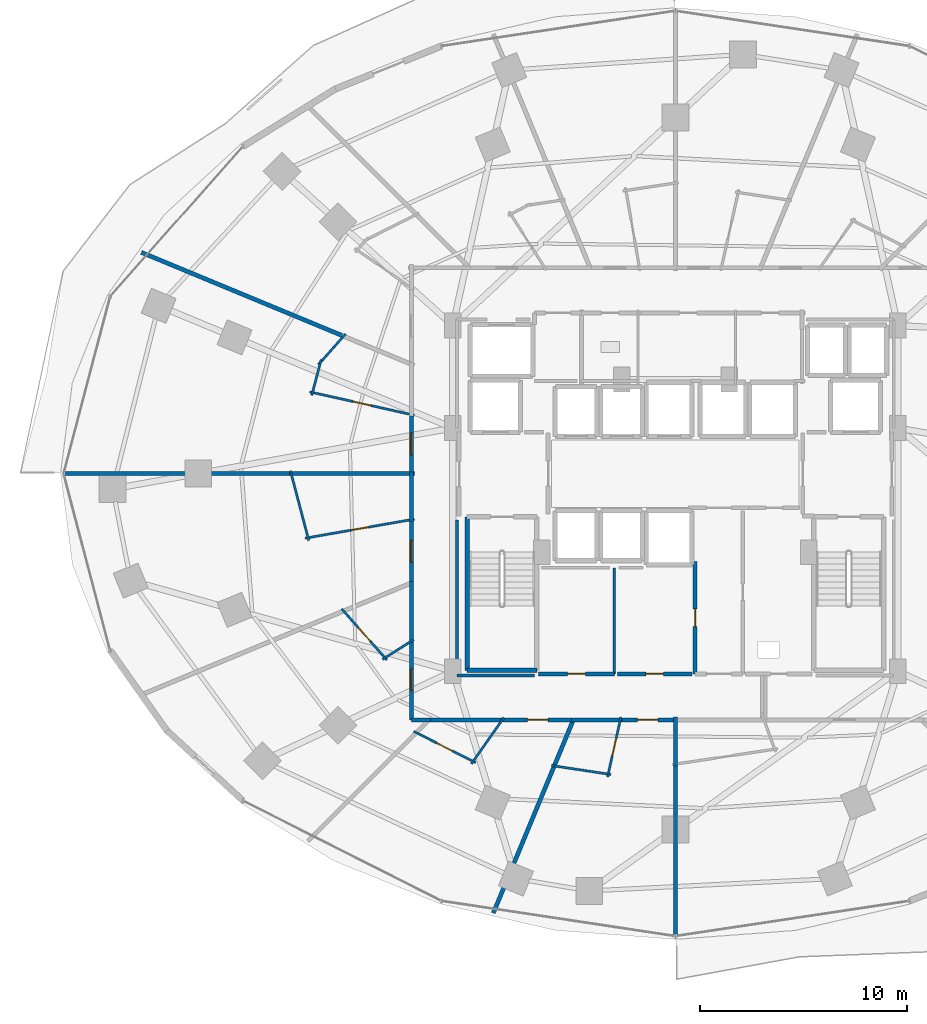
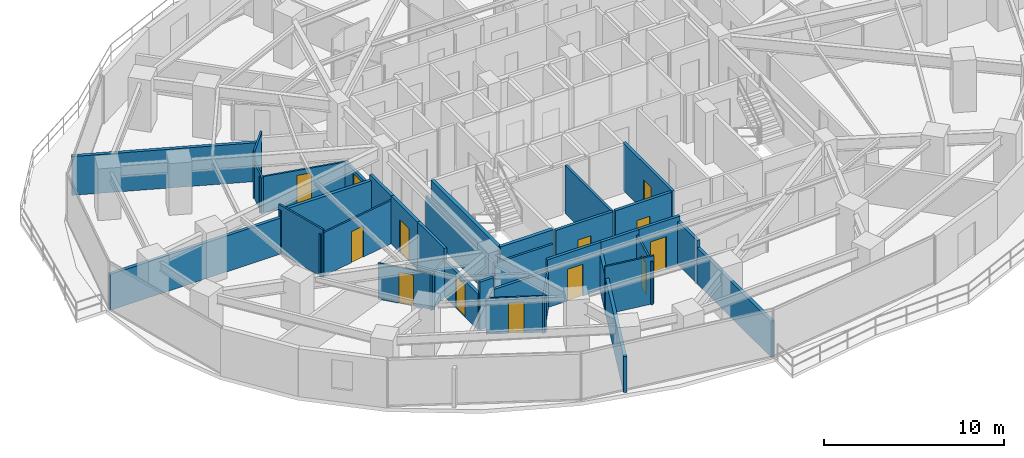
# One storey, part 26 of 34: 35 walls, 13 doors, 13 openings.
"""IFC4 building model written with IfcOpenShell, lengths in metres."""

from ifc_helpers import new_model, si_unit, direction, frame, frame_2d, origin, place, context, subcontext, project, spatial, rectangle, extrude, material, layer, layer_set, type_object, element, fill, save


model = new_model("IFC4")

# Units and contexts
model_context = context("Model", 3, precision=1e-05, world=origin(), true_north=direction((0.0, 1.0)))
body_context = subcontext(model_context, "Body", "Model", "MODEL_VIEW")
ifc_project = project(units=[si_unit("LENGTHUNIT", "METRE"), si_unit("AREAUNIT", "SQUARE_METRE"), si_unit("VOLUMEUNIT", "CUBIC_METRE"), si_unit("PLANEANGLEUNIT", "RADIAN"), si_unit("MASSUNIT", "GRAM", prefix="KILO")], contexts=[model_context])

# Site, building, storey
site_placement = place(None, origin())
site = spatial("IfcSite", under=ifc_project, at=site_placement, CompositionType="ELEMENT")
building_placement = place(site_placement, origin())
building = spatial("IfcBuilding", under=site, at=building_placement, Name="Vorneva Point Tower", CompositionType="ELEMENT")
storey_placement = place(building_placement, frame((0.0, 0.0, 27.5)))
storey = spatial("IfcBuildingStorey", under=building, at=storey_placement, Name="L06", CompositionType="ELEMENT", Elevation=27.5)

# Wall, opening, door
ifc_material_1 = material(Name="Fire-rated acoustic gypsum stud partition", Category="gypsum")
ifc_layer_1 = layer(ifc_material_1, 0.110107421875)
ifc_layer_set_1 = layer_set([ifc_layer_1], Name="Fire-rated acoustic gypsum stud partition")
wall_type_1 = type_object("IfcWallType", Name="WL-PART-110", PredefinedType="PARTITIONING", material=ifc_layer_set_1)
wall_1_placement = place(storey_placement, frame((25.38671875, 28.819580078125, 0.0), z_axis=(0.0, 0.0, 1.0), x_axis=(-0.975933395621, 0.218068813248, 0.0)))
wall_1 = element("IfcWall", 1, at=wall_1_placement, inside=storey, type_object=wall_type_1, Name="L06 Interior Partition 086", PredefinedType="PARTITIONING", context=body_context, shape_type="SweptSolid", body=[
    extrude(rectangle(XDim=5.1767578125, YDim=0.110107421875, at=frame_2d((2.58837890625, 0.0))), origin(), (0.0, 0.0, 1.0), 2.431884765625),
])
opening_1_placement = place(wall_1_placement, frame((2.163330078125, 0.0, 0.0)))
opening_1 = element("IfcOpeningElement", 2, at=opening_1_placement, cuts=wall_1, Name="Opening ID-02", PredefinedType="OPENING", context=body_context, shape_type="SweptSolid", body=[
    extrude(rectangle(XDim=0.85009765625, YDim=2.10009765625, at=frame_2d((0.425048828125, 1.050048828125))), frame((0.0, 0.06982421875, 0.0), z_axis=(0.0, -1.0, 0.0), x_axis=(1.0, 0.0, 0.0)), (0.0, 0.0, 1.0), 0.139892578125),
])
ifc_material_2 = material(Name="Engineered oak fire-rated door leaf", Category="wood")
door_type_1 = type_object("IfcDoorType", Name="DR-BATH-850", OperationType="NOTDEFINED", PredefinedType="DOOR", material=ifc_material_2)
door_1_placement = place(opening_1_placement, origin())
door_1 = element("IfcDoor", 3, at=door_1_placement, inside=storey, type_object=door_type_1, Name="L06 Door Executive Suite L06-08 / En-Suite Bathroom L06-08", OperationType="SINGLE_SWING_LEFT", OverallHeight=2.10009765625, OverallWidth=0.85009765625, PredefinedType="DOOR", context=body_context, shape_type="SweptSolid", body=[
    extrude(rectangle(XDim=0.85009765625, YDim=2.10009765625, at=frame_2d((0.425048828125, 1.050048828125))), frame((0.0, 0.02490234375, 0.0), z_axis=(0.0, -1.0, 0.0), x_axis=(1.0, 0.0, 0.0)), (0.0, 0.0, 1.0), 0.050048828125),
])
fill(opening_1, door_1)

# Walls
wall_2_placement = place(storey_placement, frame((20.435302734375, 29.78271484375, 0.0), z_axis=(0.0, 0.0, 1.0), x_axis=(0.254378671262, 0.967104695267, 0.0)))
element("IfcWall", 4, at=wall_2_placement, inside=storey, type_object=wall_type_1, Name="L06 Interior Partition 087", PredefinedType="PARTITIONING", context=body_context, shape_type="SweptSolid", body=[
    extrude(rectangle(XDim=1.7822265625, YDim=0.110107421875, at=frame_2d((0.89111328125, 0.0))), origin(), (0.0, 0.0, 1.0), 2.431884765625),
])
wall_3_placement = place(storey_placement, frame((20.76025390625, 31.26611328125, 0.0), z_axis=(0.0, 0.0, 1.0), x_axis=(0.662047420969, 0.749461948593, 0.0)))
element("IfcWall", 5, at=wall_3_placement, inside=storey, type_object=wall_type_1, Name="L06 Interior Partition 088", PredefinedType="PARTITIONING", context=body_context, shape_type="SweptSolid", body=[
    extrude(rectangle(XDim=1.9716796875, YDim=0.110107421875, at=frame_2d((0.98583984375, 0.0))), origin(), (0.0, 0.0, 1.0), 3.239990234375),
])
wall_4_placement = place(storey_placement, frame((20.29052734375, 22.767578125, 0.0), z_axis=(0.0, 0.0, 1.0), x_axis=(-0.254476045764, 0.967079077497, 0.0)))
element("IfcWall", 6, at=wall_4_placement, inside=storey, type_object=wall_type_1, Name="L06 Interior Partition 091", PredefinedType="PARTITIONING", context=body_context, shape_type="SweptSolid", body=[
    extrude(rectangle(XDim=3.482666015625, YDim=0.110107421875, at=frame_2d((1.7412109375, 0.0))), origin(), (0.0, 0.0, 1.0), 3.239990234375),
])

# Wall, opening, door
wall_5_placement = place(storey_placement, frame((25.387939453125, 23.799072265625, 0.0), z_axis=(0.0, 0.0, 1.0), x_axis=(-0.985100697644, -0.171978532096, 0.0)))
wall_5 = element("IfcWall", 7, at=wall_5_placement, inside=storey, type_object=wall_type_1, Name="L06 Interior Partition 092", PredefinedType="PARTITIONING", context=body_context, shape_type="SweptSolid", body=[
    extrude(rectangle(XDim=5.3505859375, YDim=0.110107421875, at=frame_2d((2.67529296875, 0.0))), origin(), (0.0, 0.0, 1.0), 2.922119140625),
])
opening_2_placement = place(wall_5_placement, frame((2.250244140625, 0.0, 0.0)))
opening_2 = element("IfcOpeningElement", 8, at=opening_2_placement, cuts=wall_5, Name="Opening ID-02", PredefinedType="OPENING", context=body_context, shape_type="SweptSolid", body=[
    extrude(rectangle(XDim=0.85009765625, YDim=2.10009765625, at=frame_2d((0.425048828125, 1.050048828125))), frame((0.0, 0.06982421875, 0.0), z_axis=(0.0, -1.0, 0.0), x_axis=(1.0, 0.0, 0.0)), (0.0, 0.0, 1.0), 0.139892578125),
])
door_2_placement = place(opening_2_placement, origin())
door_2 = element("IfcDoor", 9, at=door_2_placement, inside=storey, type_object=door_type_1, Name="L06 Door Corner Suite L06-09 / En-Suite Bathroom L06-09", OperationType="SINGLE_SWING_RIGHT", OverallHeight=2.10009765625, OverallWidth=0.85009765625, PredefinedType="DOOR", context=body_context, shape_type="SweptSolid", body=[
    extrude(rectangle(XDim=0.85009765625, YDim=2.10009765625, at=frame_2d((0.425048828125, 1.050048828125))), frame((0.0, 0.02490234375, 0.0), z_axis=(0.0, -1.0, 0.0), x_axis=(1.0, 0.0, 0.0)), (0.0, 0.0, 1.0), 0.050048828125),
])
fill(opening_2, door_2)

wall_6_placement = place(storey_placement, frame((24.064697265625, 16.9931640625, 0.0), z_axis=(0.0, 0.0, 1.0), x_axis=(-0.662059609276, 0.749451181709, 0.0)))
wall_6 = element("IfcWall", 10, at=wall_6_placement, inside=storey, type_object=wall_type_1, Name="L06 Interior Partition 094", PredefinedType="PARTITIONING", context=body_context, shape_type="SweptSolid", body=[
    extrude(rectangle(XDim=3.29931640625, YDim=0.110107421875, at=frame_2d((1.649658203125, 0.0))), origin(), (0.0, 0.0, 1.0), 2.431884765625),
])
opening_3_placement = place(wall_6_placement, frame((1.224609375, 0.0, 0.0)))
opening_3 = element("IfcOpeningElement", 11, at=opening_3_placement, cuts=wall_6, Name="Opening ID-02", PredefinedType="OPENING", context=body_context, shape_type="SweptSolid", body=[
    extrude(rectangle(XDim=0.85009765625, YDim=2.10009765625, at=frame_2d((0.425048828125, 1.050048828125))), frame((0.0, 0.06982421875, 0.0), z_axis=(0.0, -1.0, 0.0), x_axis=(1.0, 0.0, 0.0)), (0.0, 0.0, 1.0), 0.139892578125),
])
door_3_placement = place(opening_3_placement, origin())
door_3 = element("IfcDoor", 12, at=door_3_placement, inside=storey, type_object=door_type_1, Name="L06 Door Junior Suite L06-10 / En-Suite Bathroom L06-10", OperationType="SINGLE_SWING_LEFT", OverallHeight=2.10009765625, OverallWidth=0.85009765625, PredefinedType="DOOR", context=body_context, shape_type="SweptSolid", body=[
    extrude(rectangle(XDim=0.85009765625, YDim=2.10009765625, at=frame_2d((0.425048828125, 1.050048828125))), frame((0.0, 0.02490234375, 0.0), z_axis=(0.0, -1.0, 0.0), x_axis=(1.0, 0.0, 0.0)), (0.0, 0.0, 1.0), 0.050048828125),
])
fill(opening_3, door_3)

# Wall
wall_7_placement = place(storey_placement, frame((25.3681640625, 17.98388671875, 0.0), z_axis=(0.0, 0.0, 1.0), x_axis=(-0.844361394482, -0.535774052665, 0.0)))
element("IfcWall", 13, at=wall_7_placement, inside=storey, type_object=wall_type_1, Name="L06 Interior Partition 095", PredefinedType="PARTITIONING", context=body_context, shape_type="SweptSolid", body=[
    extrude(rectangle(XDim=1.79345703125, YDim=0.110107421875, at=frame_2d((0.896728515625, 0.0))), origin(), (0.0, 0.0, 1.0), 2.431884765625),
])

# Wall, opening, door
wall_8_placement = place(storey_placement, frame((28.35400390625, 12.033935546875, 0.0), z_axis=(0.0, 0.0, 1.0), x_axis=(-0.892556909034, 0.450934767052, 0.0)))
wall_8 = element("IfcWall", 14, at=wall_8_placement, inside=storey, type_object=wall_type_1, Name="L06 Interior Partition 097", PredefinedType="PARTITIONING", context=body_context, shape_type="SweptSolid", body=[
    extrude(rectangle(XDim=3.355712890625, YDim=0.110107421875, at=frame_2d((1.677734375, 0.0))), origin(), (0.0, 0.0, 1.0), 2.431884765625),
])
opening_4_placement = place(wall_8_placement, frame((1.252685546875, 0.0, 0.0)))
opening_4 = element("IfcOpeningElement", 15, at=opening_4_placement, cuts=wall_8, Name="Opening ID-02", PredefinedType="OPENING", context=body_context, shape_type="SweptSolid", body=[
    extrude(rectangle(XDim=0.85009765625, YDim=2.10009765625, at=frame_2d((0.425048828125, 1.050048828125))), frame((0.0, 0.06982421875, 0.0), z_axis=(0.0, -1.0, 0.0), x_axis=(1.0, 0.0, 0.0)), (0.0, 0.0, 1.0), 0.139892578125),
])
door_4_placement = place(opening_4_placement, origin())
door_4 = element("IfcDoor", 16, at=door_4_placement, inside=storey, type_object=door_type_1, Name="L06 Door King Guest Room L06-11 / En-Suite Bathroom L06-11", OperationType="SINGLE_SWING_RIGHT", OverallHeight=2.10009765625, OverallWidth=0.85009765625, PredefinedType="DOOR", context=body_context, shape_type="SweptSolid", body=[
    extrude(rectangle(XDim=0.85009765625, YDim=2.10009765625, at=frame_2d((0.425048828125, 1.050048828125))), frame((0.0, 0.02490234375, 0.0), z_axis=(0.0, -1.0, 0.0), x_axis=(1.0, 0.0, 0.0)), (0.0, 0.0, 1.0), 0.050048828125),
])
fill(opening_4, door_4)

# Walls
wall_9_placement = place(storey_placement, frame((29.717529296875, 14.214599609375, 0.0), z_axis=(0.0, 0.0, 1.0), x_axis=(-0.575076641985, -0.81809953908, 0.0)))
element("IfcWall", 17, at=wall_9_placement, inside=storey, type_object=wall_type_1, Name="L06 Interior Partition 098", PredefinedType="PARTITIONING", context=body_context, shape_type="SweptSolid", body=[
    extrude(rectangle(XDim=2.728515625, YDim=0.110107421875, at=frame_2d((1.3642578125, 0.0))), origin(), (0.0, 0.0, 1.0), 2.431884765625),
])
wall_10_placement = place(storey_placement, frame((34.893310546875, 11.463134765625, 0.0), z_axis=(0.0, 0.0, 1.0), x_axis=(-0.988868035357, 0.148795190273, 0.0)))
element("IfcWall", 18, at=wall_10_placement, inside=storey, type_object=wall_type_1, Name="L06 Interior Partition 100", PredefinedType="PARTITIONING", context=body_context, shape_type="SweptSolid", body=[
    extrude(rectangle(XDim=2.9140625, YDim=0.110107421875, at=frame_2d((1.45703125, 0.0))), origin(), (0.0, 0.0, 1.0), 3.239990234375),
])

# Wall, opening, door
wall_11_placement = place(storey_placement, frame((35.37060546875, 14.236572265625, 0.0), z_axis=(0.0, 0.0, 1.0), x_axis=(-0.218283637967, -0.975885368983, 0.0)))
wall_11 = element("IfcWall", 19, at=wall_11_placement, inside=storey, type_object=wall_type_1, Name="L06 Interior Partition 101", PredefinedType="PARTITIONING", context=body_context, shape_type="SweptSolid", body=[
    extrude(rectangle(XDim=2.96044921875, YDim=0.110107421875, at=frame_2d((1.480224609375, 0.0))), origin(), (0.0, 0.0, 1.0), 2.922119140625),
])
opening_5_placement = place(wall_11_placement, frame((1.055419921875, 0.0, 0.0)))
opening_5 = element("IfcOpeningElement", 20, at=opening_5_placement, cuts=wall_11, Name="Opening ID-02", PredefinedType="OPENING", context=body_context, shape_type="SweptSolid", body=[
    extrude(rectangle(XDim=0.85009765625, YDim=2.10009765625, at=frame_2d((0.425048828125, 1.050048828125))), frame((0.0, 0.06982421875, 0.0), z_axis=(0.0, -1.0, 0.0), x_axis=(1.0, 0.0, 0.0)), (0.0, 0.0, 1.0), 0.139892578125),
])
door_5_placement = place(opening_5_placement, origin())
door_5 = element("IfcDoor", 21, at=door_5_placement, inside=storey, type_object=door_type_1, Name="L06 Door Twin Guest Room L06-12 / En-Suite Bathroom L06-12", OperationType="SINGLE_SWING_LEFT", OverallHeight=2.10009765625, OverallWidth=0.85009765625, PredefinedType="DOOR", context=body_context, shape_type="SweptSolid", body=[
    extrude(rectangle(XDim=0.85009765625, YDim=2.10009765625, at=frame_2d((0.425048828125, 1.050048828125))), frame((0.0, 0.02490234375, 0.0), z_axis=(0.0, -1.0, 0.0), x_axis=(1.0, 0.0, 0.0)), (0.0, 0.0, 1.0), 0.050048828125),
])
fill(opening_5, door_5)

# Walls
ifc_layer_2 = layer(ifc_material_1, 0.139892578125)
ifc_layer_set_2 = layer_set([ifc_layer_2], Name="Fire-rated acoustic gypsum stud partition")
wall_type_2 = type_object("IfcWallType", Name="WL-PART-140", PredefinedType="PARTITIONING", material=ifc_layer_set_2)
wall_12_placement = place(storey_placement, frame((35.050048828125, 16.320068359375, 0.0), z_axis=(0.0, 0.0, 1.0), x_axis=(0.0, 1.0, 0.0)))
element("IfcWall", 22, at=wall_12_placement, inside=storey, type_object=wall_type_2, Name="L06 Interior Partition 021", PredefinedType="PARTITIONING", context=body_context, shape_type="SweptSolid", body=[
    extrude(rectangle(XDim=5.1298828125, YDim=0.139892578125, at=frame_2d((2.56494140625, 0.0))), origin(), (0.0, 0.0, 1.0), 3.239990234375),
])
wall_13_placement = place(storey_placement, frame((31.195068359375, 16.239990234375, 0.0), z_axis=(0.0, 0.0, 1.0), x_axis=(-1.0, 0.0, 0.0)))
element("IfcWall", 23, at=wall_13_placement, inside=storey, type_object=wall_type_2, Name="L06 Interior Closure Partition 120", PredefinedType="PARTITIONING", context=body_context, shape_type="SweptSolid", body=[
    extrude(rectangle(XDim=3.7451171875, YDim=0.139892578125, at=frame_2d((1.87255859375, 0.0))), origin(), (0.0, 0.0, 1.0), 2.431884765625),
])
wall_14_placement = place(storey_placement, frame((27.449951171875, 16.239990234375, 0.0), z_axis=(0.0, 0.0, 1.0), x_axis=(0.0, 1.0, 0.0)))
element("IfcWall", 24, at=wall_14_placement, inside=storey, type_object=wall_type_2, Name="L06 Interior Closure Partition 121", PredefinedType="PARTITIONING", context=body_context, shape_type="SweptSolid", body=[
    extrude(rectangle(XDim=7.513916015625, YDim=0.139892578125, at=frame_2d((3.7568359375, 0.0))), origin(), (0.0, 0.0, 1.0), 2.431884765625),
])

# Wall, opening, door
ifc_material_3 = material(Name="Autoclaved aerated concrete blockwork", Category="masonry")
ifc_layer_3 = layer(ifc_material_3, 0.179931640625)
ifc_layer_set_3 = layer_set([ifc_layer_3], Name="Autoclaved aerated concrete blockwork")
wall_type_3 = type_object("IfcWallType", Name="WL-PART-180", PredefinedType="PARTITIONING", material=ifc_layer_set_3)
wall_15_placement = place(storey_placement, frame((38.949951171875, 21.7548828125, 0.0), z_axis=(0.0, 0.0, 1.0), x_axis=(0.0, -1.0, 0.0)))
wall_15 = element("IfcWall", 25, at=wall_15_placement, inside=storey, type_object=wall_type_3, Name="L06 Interior Partition 012", PredefinedType="PARTITIONING", context=body_context, shape_type="SweptSolid", body=[
    extrude(rectangle(XDim=5.434814453125, YDim=0.179931640625, at=frame_2d((2.71728515625, 0.0))), origin(), (0.0, 0.0, 1.0), 3.239990234375),
])
opening_6_placement = place(wall_15_placement, frame((2.29248046875, 0.0, 0.0)))
opening_6 = element("IfcOpeningElement", 26, at=opening_6_placement, cuts=wall_15, Name="Opening ID-02", PredefinedType="OPENING", context=body_context, shape_type="SweptSolid", body=[
    extrude(rectangle(XDim=0.85009765625, YDim=2.10009765625, at=frame_2d((0.425048828125, 1.050048828125))), frame((0.0, 0.10498046875, 0.0), z_axis=(0.0, -1.0, 0.0), x_axis=(1.0, 0.0, 0.0)), (0.0, 0.0, 1.0), 0.209716796875),
])
door_6_placement = place(opening_6_placement, origin())
door_6 = element("IfcDoor", 27, at=door_6_placement, inside=storey, type_object=door_type_1, Name="L06 Door Core Service Lobby / Linen Store", OperationType="SINGLE_SWING_RIGHT", OverallHeight=2.10009765625, OverallWidth=0.85009765625, PredefinedType="DOOR", context=body_context, shape_type="SweptSolid", body=[
    extrude(rectangle(XDim=0.85009765625, YDim=2.10009765625, at=frame_2d((0.425048828125, 1.050048828125))), frame((0.0, 0.02490234375, 0.0), z_axis=(0.0, -1.0, 0.0), x_axis=(1.0, 0.0, 0.0)), (0.0, 0.0, 1.0), 0.050048828125),
])
fill(opening_6, door_6)

wall_16_placement = place(storey_placement, frame((31.39990234375, 16.320068359375, 0.0), z_axis=(0.0, 0.0, 1.0), x_axis=(1.0, 0.0, 0.0)))
wall_16 = element("IfcWall", 28, at=wall_16_placement, inside=storey, type_object=wall_type_3, Name="L06 Interior Partition 022", PredefinedType="PARTITIONING", context=body_context, shape_type="SweptSolid", body=[
    extrude(rectangle(XDim=3.650146484375, YDim=0.179931640625, at=frame_2d((1.8251953125, 0.0))), origin(), (0.0, 0.0, 1.0), 3.239990234375),
])
opening_7_placement = place(wall_16_placement, frame((1.39990234375, 0.0, 0.0)))
opening_7 = element("IfcOpeningElement", 29, at=opening_7_placement, cuts=wall_16, Name="Opening ID-02", PredefinedType="OPENING", context=body_context, shape_type="SweptSolid", body=[
    extrude(rectangle(XDim=0.85009765625, YDim=2.10009765625, at=frame_2d((0.425048828125, 1.050048828125))), frame((0.0, 0.10498046875, 0.0), z_axis=(0.0, -1.0, 0.0), x_axis=(1.0, 0.0, 0.0)), (0.0, 0.0, 1.0), 0.209716796875),
])
door_7_placement = place(opening_7_placement, origin())
door_7 = element("IfcDoor", 30, at=door_7_placement, inside=storey, type_object=door_type_1, Name="L06 Door Housekeeping Room / L06 Circulation Corridor", OperationType="SINGLE_SWING_RIGHT", OverallHeight=2.10009765625, OverallWidth=0.85009765625, PredefinedType="DOOR", context=body_context, shape_type="SweptSolid", body=[
    extrude(rectangle(XDim=0.85009765625, YDim=2.10009765625, at=frame_2d((0.425048828125, 1.050048828125))), frame((0.0, 0.02490234375, 0.0), z_axis=(0.0, -1.0, 0.0), x_axis=(1.0, 0.0, 0.0)), (0.0, 0.0, 1.0), 0.050048828125),
])
fill(opening_7, door_7)

wall_17_placement = place(storey_placement, frame((35.199951171875, 16.320068359375, 0.0), z_axis=(0.0, 0.0, 1.0), x_axis=(1.0, 0.0, 0.0)))
wall_17 = element("IfcWall", 31, at=wall_17_placement, inside=storey, type_object=wall_type_3, Name="L06 Interior Partition 023", PredefinedType="PARTITIONING", context=body_context, shape_type="SweptSolid", body=[
    extrude(rectangle(XDim=3.60009765625, YDim=0.179931640625, at=frame_2d((1.800048828125, 0.0))), origin(), (0.0, 0.0, 1.0), 3.239990234375),
])
opening_8_placement = place(wall_17_placement, frame((1.375, 0.0, 0.0)))
opening_8 = element("IfcOpeningElement", 32, at=opening_8_placement, cuts=wall_17, Name="Opening ID-02", PredefinedType="OPENING", context=body_context, shape_type="SweptSolid", body=[
    extrude(rectangle(XDim=0.85009765625, YDim=2.10009765625, at=frame_2d((0.425048828125, 1.050048828125))), frame((0.0, 0.10498046875, 0.0), z_axis=(0.0, -1.0, 0.0), x_axis=(1.0, 0.0, 0.0)), (0.0, 0.0, 1.0), 0.209716796875),
])
door_8_placement = place(opening_8_placement, origin())
door_8 = element("IfcDoor", 33, at=door_8_placement, inside=storey, type_object=door_type_1, Name="L06 Door Linen Store / L06 Circulation Corridor", OperationType="SINGLE_SWING_LEFT", OverallHeight=2.10009765625, OverallWidth=0.85009765625, PredefinedType="DOOR", context=body_context, shape_type="SweptSolid", body=[
    extrude(rectangle(XDim=0.85009765625, YDim=2.10009765625, at=frame_2d((0.425048828125, 1.050048828125))), frame((0.0, 0.02490234375, 0.0), z_axis=(0.0, -1.0, 0.0), x_axis=(1.0, 0.0, 0.0)), (0.0, 0.0, 1.0), 0.050048828125),
])
fill(opening_8, door_8)

wall_18_placement = place(storey_placement, frame((25.25, 28.910888671875, 0.0), z_axis=(0.0, 0.0, 1.0), x_axis=(0.0, -1.0, 0.0)))
wall_18 = element("IfcWall", 34, at=wall_18_placement, inside=storey, type_object=wall_type_3, Name="L06 Interior Partition 040", PredefinedType="PARTITIONING", context=body_context, shape_type="SweptSolid", body=[
    extrude(rectangle(XDim=2.970947265625, YDim=0.179931640625, at=frame_2d((1.4853515625, 0.0))), origin(), (0.0, 0.0, 1.0), 2.431884765625),
])
opening_9_placement = place(wall_18_placement, frame((0.96044921875, 0.0, 0.0)))
opening_9 = element("IfcOpeningElement", 35, at=opening_9_placement, cuts=wall_18, Name="Opening UD-02", PredefinedType="OPENING", context=body_context, shape_type="SweptSolid", body=[
    extrude(rectangle(XDim=1.050048828125, YDim=2.199951171875, at=frame_2d((0.52490234375, 1.10009765625))), frame((0.0, 0.10498046875, 0.0), z_axis=(0.0, -1.0, 0.0), x_axis=(1.0, 0.0, 0.0)), (0.0, 0.0, 1.0), 0.209716796875),
])
door_type_2 = type_object("IfcDoorType", Name="DR-SUITE-1050", OperationType="NOTDEFINED", PredefinedType="DOOR", material=ifc_material_2)
door_9_placement = place(opening_9_placement, origin())
door_9 = element("IfcDoor", 36, at=door_9_placement, inside=storey, type_object=door_type_2, Name="L06 Door L06 Circulation Corridor / Executive Suite L06-08", OperationType="SINGLE_SWING_LEFT", OverallHeight=2.199951171875, OverallWidth=1.050048828125, PredefinedType="DOOR", context=body_context, shape_type="SweptSolid", body=[
    extrude(rectangle(XDim=1.050048828125, YDim=2.199951171875, at=frame_2d((0.52490234375, 1.10009765625))), frame((0.0, 0.02490234375, 0.0), z_axis=(0.0, -1.0, 0.0), x_axis=(1.0, 0.0, 0.0)), (0.0, 0.0, 1.0), 0.050048828125),
])
fill(opening_9, door_9)

wall_19_placement = place(storey_placement, frame((25.25, 23.8349609375, 0.0), z_axis=(0.0, 0.0, 1.0), x_axis=(0.0, -1.0, 0.0)))
wall_19 = element("IfcWall", 37, at=wall_19_placement, inside=storey, type_object=wall_type_3, Name="L06 Interior Partition 042", PredefinedType="PARTITIONING", context=body_context, shape_type="SweptSolid", body=[
    extrude(rectangle(XDim=3.180908203125, YDim=0.179931640625, at=frame_2d((1.59033203125, 0.0))), origin(), (0.0, 0.0, 1.0), 3.239990234375),
])
opening_10_placement = place(wall_19_placement, frame((1.0654296875, 0.0, 0.0)))
opening_10 = element("IfcOpeningElement", 38, at=opening_10_placement, cuts=wall_19, Name="Opening UD-02", PredefinedType="OPENING", context=body_context, shape_type="SweptSolid", body=[
    extrude(rectangle(XDim=1.050048828125, YDim=2.199951171875, at=frame_2d((0.52490234375, 1.10009765625))), frame((0.0, 0.10498046875, 0.0), z_axis=(0.0, -1.0, 0.0), x_axis=(1.0, 0.0, 0.0)), (0.0, 0.0, 1.0), 0.209716796875),
])
door_10_placement = place(opening_10_placement, origin())
door_10 = element("IfcDoor", 39, at=door_10_placement, inside=storey, type_object=door_type_2, Name="L06 Door L06 Circulation Corridor / Corner Suite L06-09", OperationType="SINGLE_SWING_RIGHT", OverallHeight=2.199951171875, OverallWidth=1.050048828125, PredefinedType="DOOR", context=body_context, shape_type="SweptSolid", body=[
    extrude(rectangle(XDim=1.050048828125, YDim=2.199951171875, at=frame_2d((0.52490234375, 1.10009765625))), frame((0.0, 0.02490234375, 0.0), z_axis=(0.0, -1.0, 0.0), x_axis=(1.0, 0.0, 0.0)), (0.0, 0.0, 1.0), 0.050048828125),
])
fill(opening_10, door_10)

# Wall
wall_20_placement = place(storey_placement, frame((25.25, 26.080078125, 0.0), z_axis=(0.0, 0.0, 1.0), x_axis=(0.0, -1.0, 0.0)))
element("IfcWall", 40, at=wall_20_placement, inside=storey, type_object=wall_type_3, Name="L06 Interior Partition 043", PredefinedType="PARTITIONING", context=body_context, shape_type="SweptSolid", body=[
    extrude(rectangle(XDim=2.385009765625, YDim=0.179931640625, at=frame_2d((1.1923828125, 0.0))), origin(), (0.0, 0.0, 1.0), 3.239990234375),
])

# Wall, opening, door
wall_21_placement = place(storey_placement, frame((25.25, 17.968994140625, 0.0), z_axis=(0.0, 0.0, 1.0), x_axis=(0.0, -1.0, 0.0)))
wall_21 = element("IfcWall", 41, at=wall_21_placement, inside=storey, type_object=wall_type_3, Name="L06 Interior Partition 044", PredefinedType="PARTITIONING", context=body_context, shape_type="SweptSolid", body=[
    extrude(rectangle(XDim=3.868896484375, YDim=0.179931640625, at=frame_2d((1.9345703125, 0.0))), origin(), (0.0, 0.0, 1.0), 2.431884765625),
])
opening_11_placement = place(wall_21_placement, frame((1.409423828125, 0.0, 0.0)))
opening_11 = element("IfcOpeningElement", 42, at=opening_11_placement, cuts=wall_21, Name="Opening UD-02", PredefinedType="OPENING", context=body_context, shape_type="SweptSolid", body=[
    extrude(rectangle(XDim=1.050048828125, YDim=2.199951171875, at=frame_2d((0.52490234375, 1.10009765625))), frame((0.0, 0.10498046875, 0.0), z_axis=(0.0, -1.0, 0.0), x_axis=(1.0, 0.0, 0.0)), (0.0, 0.0, 1.0), 0.209716796875),
])
door_11_placement = place(opening_11_placement, origin())
door_11 = element("IfcDoor", 43, at=door_11_placement, inside=storey, type_object=door_type_2, Name="L06 Door L06 Circulation Corridor / Junior Suite L06-10", OperationType="SINGLE_SWING_LEFT", OverallHeight=2.199951171875, OverallWidth=1.050048828125, PredefinedType="DOOR", context=body_context, shape_type="SweptSolid", body=[
    extrude(rectangle(XDim=1.050048828125, YDim=2.199951171875, at=frame_2d((0.52490234375, 1.10009765625))), frame((0.0, 0.02490234375, 0.0), z_axis=(0.0, -1.0, 0.0), x_axis=(1.0, 0.0, 0.0)), (0.0, 0.0, 1.0), 0.050048828125),
])
fill(opening_11, door_11)

# Walls
wall_22_placement = place(storey_placement, frame((25.25, 14.10009765625, 0.0), z_axis=(0.0, 0.0, 1.0), x_axis=(1.0, 0.0, 0.0)))
element("IfcWall", 44, at=wall_22_placement, inside=storey, type_object=wall_type_3, Name="L06 Interior Partition 045", PredefinedType="PARTITIONING", context=body_context, shape_type="SweptSolid", body=[
    extrude(rectangle(XDim=0.909912109375, YDim=0.179931640625, at=frame_2d((0.455078125, 0.0))), origin(), (0.0, 0.0, 1.0), 3.239990234375),
])
wall_23_placement = place(storey_placement, frame((25.25, 20.7939453125, 0.0), z_axis=(0.0, 0.0, 1.0), x_axis=(0.0, -1.0, 0.0)))
element("IfcWall", 45, at=wall_23_placement, inside=storey, type_object=wall_type_3, Name="L06 Interior Partition 046", PredefinedType="PARTITIONING", context=body_context, shape_type="SweptSolid", body=[
    extrude(rectangle(XDim=2.96484375, YDim=0.179931640625, at=frame_2d((1.482421875, 0.0))), origin(), (0.0, 0.0, 1.0), 3.239990234375),
])

# Wall, opening, door
wall_24_placement = place(storey_placement, frame((29.56396484375, 14.10009765625, 0.0), z_axis=(0.0, 0.0, 1.0), x_axis=(1.0, 0.0, 0.0)))
wall_24 = element("IfcWall", 46, at=wall_24_placement, inside=storey, type_object=wall_type_3, Name="L06 Interior Partition 047", PredefinedType="PARTITIONING", context=body_context, shape_type="SweptSolid", body=[
    extrude(rectangle(XDim=3.567138671875, YDim=0.179931640625, at=frame_2d((1.78369140625, 0.0))), origin(), (0.0, 0.0, 1.0), 3.239990234375),
])
opening_12_placement = place(wall_24_placement, frame((1.283447265625, 0.0, 0.0)))
opening_12 = element("IfcOpeningElement", 47, at=opening_12_placement, cuts=wall_24, Name="Opening UD-01", PredefinedType="OPENING", context=body_context, shape_type="SweptSolid", body=[
    extrude(rectangle(XDim=1.0, YDim=2.14990234375, at=frame_2d((0.5, 1.074951171875))), frame((0.0, 0.10498046875, 0.0), z_axis=(0.0, -1.0, 0.0), x_axis=(1.0, 0.0, 0.0)), (0.0, 0.0, 1.0), 0.209716796875),
])
door_type_3 = type_object("IfcDoorType", Name="DR-UNIT-1000", OperationType="NOTDEFINED", PredefinedType="DOOR", material=ifc_material_2)
door_12_placement = place(opening_12_placement, origin())
door_12 = element("IfcDoor", 48, at=door_12_placement, inside=storey, type_object=door_type_3, Name="L06 Door L06 Circulation Corridor / King Guest Room L06-11", OperationType="SINGLE_SWING_RIGHT", OverallHeight=2.14990234375, OverallWidth=1.0, PredefinedType="DOOR", context=body_context, shape_type="SweptSolid", body=[
    extrude(rectangle(XDim=1.0, YDim=2.14990234375, at=frame_2d((0.5, 1.074951171875))), frame((0.0, 0.02490234375, 0.0), z_axis=(0.0, -1.0, 0.0), x_axis=(1.0, 0.0, 0.0)), (0.0, 0.0, 1.0), 0.050048828125),
])
fill(opening_12, door_12)

# Wall
wall_25_placement = place(storey_placement, frame((26.02001953125, 14.10009765625, 0.0), z_axis=(0.0, 0.0, 1.0), x_axis=(1.0, 0.0, 0.0)))
element("IfcWall", 49, at=wall_25_placement, inside=storey, type_object=wall_type_3, Name="L06 Interior Partition 048", PredefinedType="PARTITIONING", context=body_context, shape_type="SweptSolid", body=[
    extrude(rectangle(XDim=3.68408203125, YDim=0.179931640625, at=frame_2d((1.842041015625, 0.0))), origin(), (0.0, 0.0, 1.0), 2.431884765625),
])

# Wall, opening, door
wall_26_placement = place(storey_placement, frame((35.279052734375, 14.10009765625, 0.0), z_axis=(0.0, 0.0, 1.0), x_axis=(1.0, 0.0, 0.0)))
wall_26 = element("IfcWall", 50, at=wall_26_placement, inside=storey, type_object=wall_type_3, Name="L06 Interior Partition 049", PredefinedType="PARTITIONING", context=body_context, shape_type="SweptSolid", body=[
    extrude(rectangle(XDim=2.781005859375, YDim=0.179931640625, at=frame_2d((1.390625, 0.0))), origin(), (0.0, 0.0, 1.0), 3.239990234375),
])
opening_13_placement = place(wall_26_placement, frame((0.890380859375, 0.0, 0.0)))
opening_13 = element("IfcOpeningElement", 51, at=opening_13_placement, cuts=wall_26, Name="Opening UD-01", PredefinedType="OPENING", context=body_context, shape_type="SweptSolid", body=[
    extrude(rectangle(XDim=1.0, YDim=2.14990234375, at=frame_2d((0.5, 1.074951171875))), frame((0.0, 0.10498046875, 0.0), z_axis=(0.0, -1.0, 0.0), x_axis=(1.0, 0.0, 0.0)), (0.0, 0.0, 1.0), 0.209716796875),
])
door_13_placement = place(opening_13_placement, origin())
door_13 = element("IfcDoor", 52, at=door_13_placement, inside=storey, type_object=door_type_3, Name="L06 Door L06 Circulation Corridor / Twin Guest Room L06-12", OperationType="SINGLE_SWING_LEFT", OverallHeight=2.14990234375, OverallWidth=1.0, PredefinedType="DOOR", context=body_context, shape_type="SweptSolid", body=[
    extrude(rectangle(XDim=1.0, YDim=2.14990234375, at=frame_2d((0.5, 1.074951171875))), frame((0.0, 0.02490234375, 0.0), z_axis=(0.0, -1.0, 0.0), x_axis=(1.0, 0.0, 0.0)), (0.0, 0.0, 1.0), 0.050048828125),
])
fill(opening_13, door_13)

# Walls
wall_27_placement = place(storey_placement, frame((32.990966796875, 14.10009765625, 0.0), z_axis=(0.0, 0.0, 1.0), x_axis=(1.0, 0.0, 0.0)))
element("IfcWall", 53, at=wall_27_placement, inside=storey, type_object=wall_type_3, Name="L06 Interior Partition 050", PredefinedType="PARTITIONING", context=body_context, shape_type="SweptSolid", body=[
    extrude(rectangle(XDim=2.427978515625, YDim=0.179931640625, at=frame_2d((1.2138671875, 0.0))), origin(), (0.0, 0.0, 1.0), 3.239990234375),
])
ifc_layer_4 = layer(ifc_material_3, 0.199951171875)
ifc_layer_set_4 = layer_set([ifc_layer_4], Name="Autoclaved aerated concrete blockwork")
wall_type_4 = type_object("IfcWallType", Name="WL-PART-200", PredefinedType="PARTITIONING", material=ifc_layer_set_4)
wall_28_placement = place(storey_placement, frame((12.20703125, 36.68408203125, 0.0), z_axis=(0.0, 0.0, 1.0), x_axis=(0.923876032578, -0.382691881842, 0.0)))
element("IfcWall", 54, at=wall_28_placement, inside=storey, type_object=wall_type_4, Name="L06 Interior Partition 084", PredefinedType="PARTITIONING", context=body_context, shape_type="SweptSolid", body=[
    extrude(rectangle(XDim=10.63037109375, YDim=0.199951171875, at=frame_2d((5.315185546875, 0.0))), origin(), (0.0, 0.0, 1.0), 2.6240234375),
])
wall_29_placement = place(storey_placement, frame((8.450927734375, 26.0, 0.0), z_axis=(0.0, 0.0, 1.0), x_axis=(1.0, 0.0, 0.0)))
element("IfcWall", 55, at=wall_29_placement, inside=storey, type_object=wall_type_4, Name="L06 Interior Partition 089", PredefinedType="PARTITIONING", context=body_context, shape_type="SweptSolid", body=[
    extrude(rectangle(XDim=11.051025390625, YDim=0.199951171875, at=frame_2d((5.525390625, 0.0))), origin(), (0.0, 0.0, 1.0), 2.431884765625),
])
wall_30_placement = place(storey_placement, frame((19.362060546875, 26.0, 0.0), z_axis=(0.0, 0.0, 1.0), x_axis=(1.0, 0.0, 0.0)))
element("IfcWall", 56, at=wall_30_placement, inside=storey, type_object=wall_type_4, Name="L06 Interior Partition 090", PredefinedType="PARTITIONING", context=body_context, shape_type="SweptSolid", body=[
    extrude(rectangle(XDim=6.02783203125, YDim=0.199951171875, at=frame_2d((3.013916015625, 0.0))), origin(), (0.0, 0.0, 1.0), 2.922119140625),
])
wall_31_placement = place(storey_placement, frame((29.2080078125, 4.77490234375, 0.0), z_axis=(0.0, 0.0, 1.0), x_axis=(0.382718503749, 0.923865004689, 0.0)))
element("IfcWall", 57, at=wall_31_placement, inside=storey, type_object=wall_type_4, Name="L06 Interior Partition 099", PredefinedType="PARTITIONING", context=body_context, shape_type="SweptSolid", body=[
    extrude(rectangle(XDim=10.09375, YDim=0.199951171875, at=frame_2d((5.046875, 0.0))), origin(), (0.0, 0.0, 1.0), 2.431884765625),
])
wall_32_placement = place(storey_placement, frame((38.0, 3.64990234375, 0.0), z_axis=(0.0, 0.0, 1.0), x_axis=(0.0, 1.0, 0.0)))
element("IfcWall", 58, at=wall_32_placement, inside=storey, type_object=wall_type_4, Name="L06 Interior Partition 102", PredefinedType="PARTITIONING", context=body_context, shape_type="SweptSolid", body=[
    extrude(rectangle(XDim=8.375, YDim=0.199951171875, at=frame_2d((4.1875, 0.0))), origin(), (0.0, 0.0, 1.0), 2.431884765625),
])
wall_33_placement = place(storey_placement, frame((38.0, 11.885009765625, 0.0), z_axis=(0.0, 0.0, 1.0), x_axis=(0.0, 1.0, 0.0)))
element("IfcWall", 59, at=wall_33_placement, inside=storey, type_object=wall_type_4, Name="L06 Interior Partition 103", PredefinedType="PARTITIONING", context=body_context, shape_type="SweptSolid", body=[
    extrude(rectangle(XDim=2.35498046875, YDim=0.199951171875, at=frame_2d((1.177490234375, 0.0))), origin(), (0.0, 0.0, 1.0), 2.922119140625),
])
ifc_material_4 = material(Name="Concrete B50 (C40/50)", Category="concrete")
ifc_layer_5 = layer(ifc_material_4, 0.219970703125)
ifc_layer_set_5 = layer_set([ifc_layer_5], Name="Concrete B50 (C40/50)")
wall_type_5 = type_object("IfcWallType", Name="WL-SHFT-220", PredefinedType="SOLIDWALL", material=ifc_layer_set_5)
wall_34_placement = place(storey_placement, frame((31.31005859375, 16.489990234375, 0.0), z_axis=(0.0, 0.0, 1.0), x_axis=(-1.0, 0.0, 0.0)))
element("IfcWall", 60, at=wall_34_placement, inside=storey, type_object=wall_type_5, Name="L06 Exit Stair ST1 Shaft Wall far", PredefinedType="SOLIDWALL", context=body_context, shape_type="SweptSolid", body=[
    extrude(rectangle(XDim=3.3701171875, YDim=0.219970703125, at=frame_2d((1.68505859375, 0.0))), origin(), (0.0, 0.0, 1.0), 3.239990234375),
])
wall_35_placement = place(storey_placement, frame((27.93994140625, 16.489990234375, 0.0), z_axis=(0.0, 0.0, 1.0), x_axis=(0.0, 1.0, 0.0)))
element("IfcWall", 61, at=wall_35_placement, inside=storey, type_object=wall_type_5, Name="L06 Exit Stair ST1 Shaft Wall left", PredefinedType="SOLIDWALL", context=body_context, shape_type="SweptSolid", body=[
    extrude(rectangle(XDim=7.419921875, YDim=0.219970703125, at=frame_2d((3.7099609375, 0.0))), origin(), (0.0, 0.0, 1.0), 3.239990234375),
])

save(model, "model.ifc")
